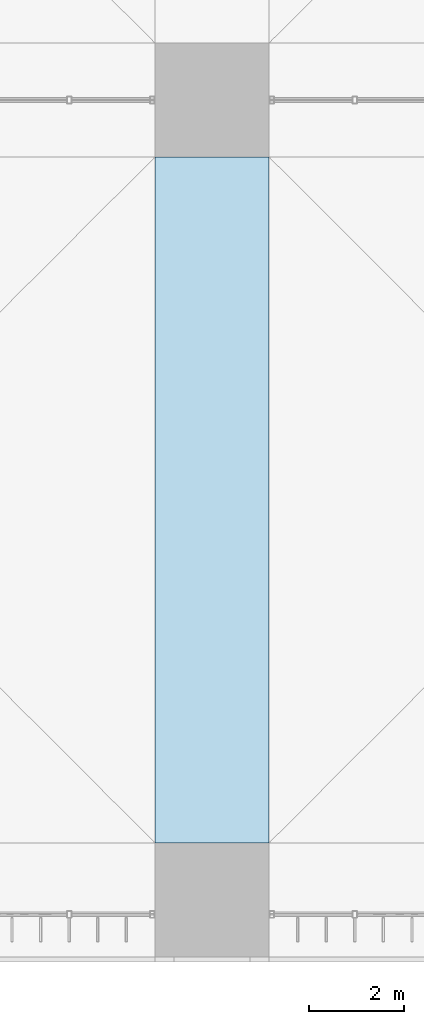
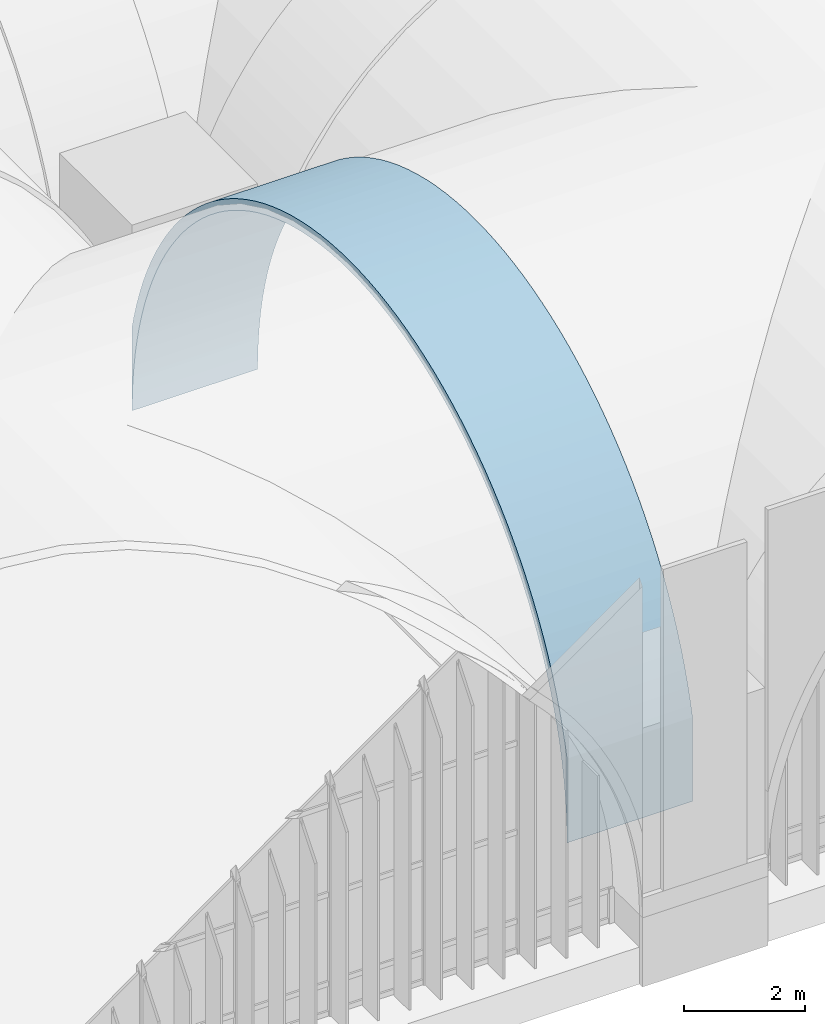
# One storey, part 115 of 169: 1 roof.
"""IFC4 building model written with IfcOpenShell, lengths in metres."""

from ifc_helpers import new_model, si_unit, direction, frame, origin, place, context, subcontext, project, spatial, polygons, material, layer, layer_set, type_object, element, save


model = new_model("IFC4")

# Units and contexts
model_context = context("Model", 3, precision=1e-05, world=origin(), true_north=direction((0.0, 1.0)))
body_context = subcontext(model_context, "Body", "Model", "MODEL_VIEW")
ifc_project = project(units=[si_unit("LENGTHUNIT", "METRE"), si_unit("AREAUNIT", "SQUARE_METRE"), si_unit("VOLUMEUNIT", "CUBIC_METRE"), si_unit("PLANEANGLEUNIT", "RADIAN"), si_unit("MASSUNIT", "GRAM", prefix="KILO")], contexts=[model_context])

# Site, building, storey
site_placement = place(None, origin())
site = spatial("IfcSite", under=ifc_project, at=site_placement, CompositionType="ELEMENT")
building_placement = place(site_placement, origin())
building = spatial("IfcBuilding", under=site, at=building_placement, Name="Verrick Yard Athletic Hall", CompositionType="ELEMENT")
storey_placement = place(building_placement, frame((0.0, 0.0, 4.39990234375)))
storey = spatial("IfcBuildingStorey", under=building, at=storey_placement, Name="L01", CompositionType="ELEMENT", Elevation=4.39990234375)

# Roof
ifc_material = material(Name="Concrete 35 MPa", Category="concrete")
ifc_layer = layer(ifc_material, 0.199951171875)
ifc_layer_set = layer_set([ifc_layer], Name="Arch rib 200")
roof_type = type_object("IfcRoofType", Name="Arch rib 200", PredefinedType="BARREL_ROOF", material=ifc_layer_set)
roof_placement = place(storey_placement, origin())
element("IfcRoof", 1, at=roof_placement, inside=storey, type_object=roof_type, Name="Vault rib X3-1", PredefinedType="BARREL_ROOF", context=body_context, shape_type="Tessellation", body=[
    polygons([(74.800048828125, 20.39990234375, 2.352294921875), (74.800048828125, 20.39990234375, 0.650146484375), (74.800048828125, 20.406982421875, 0.964111328125), (74.800048828125, 20.427490234375, 1.277587890625), (74.800048828125, 20.461669921875, 1.58984375), (74.800048828125, 20.509521484375, 1.900390625), (74.800048828125, 20.57080078125, 2.20849609375), (74.800048828125, 20.645263671875, 2.513671875), (74.800048828125, 20.733154296875, 2.815185546875), (74.800048828125, 20.834228515625, 3.112548828125), (74.800048828125, 20.947998046875, 3.405517578125), (74.800048828125, 21.07470703125, 3.693115234375), (74.800048828125, 21.21337890625, 3.974609375), (74.800048828125, 21.364501953125, 4.25), (74.800048828125, 21.527587890625, 4.518798828125), (74.800048828125, 21.7021484375, 4.77978515625), (74.800048828125, 21.887939453125, 5.033203125), (74.800048828125, 22.08447265625, 5.278076171875), (74.800048828125, 22.29150390625, 5.514404296875), (74.800048828125, 22.5087890625, 5.7412109375), (74.800048828125, 22.73583984375, 5.95849609375), (74.800048828125, 22.971923828125, 6.16552734375), (74.800048828125, 23.216796875, 6.3623046875), (74.800048828125, 23.47021484375, 6.548095703125), (74.800048828125, 23.7314453125, 6.722412109375), (74.800048828125, 24.0, 6.885498046875), (74.800048828125, 24.275390625, 7.03662109375), (74.800048828125, 24.55712890625, 7.175537109375), (74.800048828125, 24.8447265625, 7.302001953125), (74.800048828125, 25.137451171875, 7.416015625), (74.800048828125, 25.434814453125, 7.516845703125), (74.800048828125, 25.736572265625, 7.604736328125), (74.800048828125, 26.04150390625, 7.679443359375), (74.800048828125, 26.349609375, 7.74072265625), (74.800048828125, 26.66015625, 7.78857421875), (74.800048828125, 26.972412109375, 7.82275390625), (74.800048828125, 27.285888671875, 7.84326171875), (74.800048828125, 27.60009765625, 7.85009765625), (74.800048828125, 27.9140625, 7.84326171875), (74.800048828125, 28.2275390625, 7.82275390625), (74.800048828125, 28.539794921875, 7.78857421875), (74.800048828125, 28.850341796875, 7.74072265625), (74.800048828125, 29.158447265625, 7.679443359375), (74.800048828125, 29.46337890625, 7.604736328125), (74.800048828125, 29.76513671875, 7.516845703125), (74.800048828125, 30.0625, 7.416015625), (74.800048828125, 30.355224609375, 7.302001953125), (74.800048828125, 30.642822265625, 7.175537109375), (74.800048828125, 30.924560546875, 7.03662109375), (74.800048828125, 31.199951171875, 6.885498046875), (74.800048828125, 31.468505859375, 6.722412109375), (74.800048828125, 31.729736328125, 6.548095703125), (74.800048828125, 31.983154296875, 6.3623046875), (74.800048828125, 32.22802734375, 6.16552734375), (74.800048828125, 32.464111328125, 5.95849609375), (74.800048828125, 32.691162109375, 5.7412109375), (74.800048828125, 32.908447265625, 5.514404296875), (74.800048828125, 33.115478515625, 5.278076171875), (74.800048828125, 33.31201171875, 5.033203125), (74.800048828125, 33.497802734375, 4.77978515625), (74.800048828125, 33.67236328125, 4.518798828125), (74.800048828125, 33.83544921875, 4.25), (74.800048828125, 33.986572265625, 3.974609375), (74.800048828125, 34.12548828125, 3.693115234375), (74.800048828125, 34.251953125, 3.405517578125), (74.800048828125, 34.36572265625, 3.112548828125), (74.800048828125, 34.466796875, 2.815185546875), (74.800048828125, 34.5546875, 2.513671875), (74.800048828125, 34.62939453125, 2.20849609375), (74.800048828125, 34.690673828125, 1.900390625), (74.800048828125, 34.73828125, 1.58984375), (74.800048828125, 34.772705078125, 1.277587890625), (74.800048828125, 34.793212890625, 0.964111328125), (74.800048828125, 34.800048828125, 0.650146484375), (74.800048828125, 34.800048828125, 2.352294921875), (74.800048828125, 34.747802734375, 2.5654296875), (74.800048828125, 34.657470703125, 2.875244140625), (74.800048828125, 34.5537109375, 3.180908203125), (74.800048828125, 34.436767578125, 3.48193359375), (74.800048828125, 34.306640625, 3.777587890625), (74.800048828125, 34.163818359375, 4.06689453125), (74.800048828125, 34.008544921875, 4.35009765625), (74.800048828125, 33.841064453125, 4.6259765625), (74.800048828125, 33.66162109375, 4.89453125), (74.800048828125, 33.470703125, 5.15478515625), (74.800048828125, 33.268798828125, 5.40673828125), (74.800048828125, 33.055908203125, 5.6494140625), (74.800048828125, 32.83251953125, 5.8828125), (74.800048828125, 32.599365234375, 6.10595703125), (74.800048828125, 32.356689453125, 6.31884765625), (74.800048828125, 32.104736328125, 6.52099609375), (74.800048828125, 31.844482421875, 6.7119140625), (74.800048828125, 31.575927734375, 6.89111328125), (74.800048828125, 31.300048828125, 7.05859375), (74.800048828125, 31.016845703125, 7.214111328125), (74.800048828125, 30.727294921875, 7.356689453125), (74.800048828125, 30.431884765625, 7.48681640625), (74.800048828125, 30.130859375, 7.603759765625), (74.800048828125, 29.8251953125, 7.70751953125), (74.800048828125, 29.515380859375, 7.798095703125), (74.800048828125, 29.20166015625, 7.874755859375), (74.800048828125, 28.885009765625, 7.937744140625), (74.800048828125, 28.56591796875, 7.98681640625), (74.800048828125, 28.2451171875, 8.02197265625), (74.800048828125, 27.9228515625, 8.043212890625), (74.800048828125, 27.60009765625, 8.050048828125), (74.800048828125, 27.277099609375, 8.043212890625), (74.800048828125, 26.955078125, 8.02197265625), (74.800048828125, 26.634033203125, 7.98681640625), (74.800048828125, 26.31494140625, 7.937744140625), (74.800048828125, 25.998291015625, 7.874755859375), (74.800048828125, 25.684814453125, 7.798095703125), (74.800048828125, 25.374755859375, 7.70751953125), (74.800048828125, 25.069091796875, 7.603759765625), (74.800048828125, 24.76806640625, 7.48681640625), (74.800048828125, 24.47265625, 7.356689453125), (74.800048828125, 24.18310546875, 7.214111328125), (74.800048828125, 23.89990234375, 7.05859375), (74.800048828125, 23.6240234375, 6.89111328125), (74.800048828125, 23.35546875, 6.7119140625), (74.800048828125, 23.09521484375, 6.52099609375), (74.800048828125, 22.843505859375, 6.31884765625), (74.800048828125, 22.6005859375, 6.10595703125), (74.800048828125, 22.367431640625, 5.8828125), (74.800048828125, 22.14404296875, 5.6494140625), (74.800048828125, 21.931396484375, 5.40673828125), (74.800048828125, 21.729248046875, 5.15478515625), (74.800048828125, 21.538330078125, 4.89453125), (74.800048828125, 21.35888671875, 4.6259765625), (74.800048828125, 21.19140625, 4.35009765625), (74.800048828125, 21.0361328125, 4.06689453125), (74.800048828125, 20.893310546875, 3.777587890625), (74.800048828125, 20.76318359375, 3.48193359375), (74.800048828125, 20.646240234375, 3.180908203125), (74.800048828125, 20.54248046875, 2.875244140625), (74.800048828125, 20.4521484375, 2.5654296875), (72.39990234375, 20.39990234375, 2.352294921875), (72.39990234375, 20.39990234375, 0.650146484375), (72.39990234375, 20.406982421875, 0.964111328125), (72.39990234375, 20.427490234375, 1.277587890625), (72.39990234375, 20.461669921875, 1.58984375), (72.39990234375, 20.509521484375, 1.900390625), (72.39990234375, 20.57080078125, 2.20849609375), (72.39990234375, 20.645263671875, 2.513671875), (72.39990234375, 20.733154296875, 2.815185546875), (72.39990234375, 20.834228515625, 3.112548828125), (72.39990234375, 20.947998046875, 3.405517578125), (72.39990234375, 21.07470703125, 3.693115234375), (72.39990234375, 21.21337890625, 3.974609375), (72.39990234375, 21.364501953125, 4.25), (72.39990234375, 21.527587890625, 4.518798828125), (72.39990234375, 21.7021484375, 4.77978515625), (72.39990234375, 21.887939453125, 5.033203125), (72.39990234375, 22.08447265625, 5.278076171875), (72.39990234375, 22.29150390625, 5.514404296875), (72.39990234375, 22.5087890625, 5.7412109375), (72.39990234375, 22.73583984375, 5.95849609375), (72.39990234375, 22.971923828125, 6.16552734375), (72.39990234375, 23.216796875, 6.3623046875), (72.39990234375, 23.47021484375, 6.548095703125), (72.39990234375, 23.7314453125, 6.722412109375), (72.39990234375, 24.0, 6.885498046875), (72.39990234375, 24.275390625, 7.03662109375), (72.39990234375, 24.55712890625, 7.175537109375), (72.39990234375, 24.8447265625, 7.302001953125), (72.39990234375, 25.137451171875, 7.416015625), (72.39990234375, 25.434814453125, 7.516845703125), (72.39990234375, 25.736572265625, 7.604736328125), (72.39990234375, 26.04150390625, 7.679443359375), (72.39990234375, 26.349609375, 7.74072265625), (72.39990234375, 26.66015625, 7.78857421875), (72.39990234375, 26.972412109375, 7.82275390625), (72.39990234375, 27.285888671875, 7.84326171875), (72.39990234375, 27.60009765625, 7.85009765625), (72.39990234375, 27.9140625, 7.84326171875), (72.39990234375, 28.2275390625, 7.82275390625), (72.39990234375, 28.539794921875, 7.78857421875), (72.39990234375, 28.850341796875, 7.74072265625), (72.39990234375, 29.158447265625, 7.679443359375), (72.39990234375, 29.46337890625, 7.604736328125), (72.39990234375, 29.76513671875, 7.516845703125), (72.39990234375, 30.0625, 7.416015625), (72.39990234375, 30.355224609375, 7.302001953125), (72.39990234375, 30.642822265625, 7.175537109375), (72.39990234375, 30.924560546875, 7.03662109375), (72.39990234375, 31.199951171875, 6.885498046875), (72.39990234375, 31.468505859375, 6.722412109375), (72.39990234375, 31.729736328125, 6.548095703125), (72.39990234375, 31.983154296875, 6.3623046875), (72.39990234375, 32.22802734375, 6.16552734375), (72.39990234375, 32.464111328125, 5.95849609375), (72.39990234375, 32.691162109375, 5.7412109375), (72.39990234375, 32.908447265625, 5.514404296875), (72.39990234375, 33.115478515625, 5.278076171875), (72.39990234375, 33.31201171875, 5.033203125), (72.39990234375, 33.497802734375, 4.77978515625), (72.39990234375, 33.67236328125, 4.518798828125), (72.39990234375, 33.83544921875, 4.25), (72.39990234375, 33.986572265625, 3.974609375), (72.39990234375, 34.12548828125, 3.693115234375), (72.39990234375, 34.251953125, 3.405517578125), (72.39990234375, 34.36572265625, 3.112548828125), (72.39990234375, 34.466796875, 2.815185546875), (72.39990234375, 34.5546875, 2.513671875), (72.39990234375, 34.62939453125, 2.20849609375), (72.39990234375, 34.690673828125, 1.900390625), (72.39990234375, 34.73828125, 1.58984375), (72.39990234375, 34.772705078125, 1.277587890625), (72.39990234375, 34.793212890625, 0.964111328125), (72.39990234375, 34.800048828125, 0.650146484375), (72.39990234375, 34.800048828125, 2.352294921875), (72.39990234375, 34.747802734375, 2.5654296875), (72.39990234375, 34.657470703125, 2.875244140625), (72.39990234375, 34.5537109375, 3.180908203125), (72.39990234375, 34.436767578125, 3.48193359375), (72.39990234375, 34.306640625, 3.777587890625), (72.39990234375, 34.163818359375, 4.06689453125), (72.39990234375, 34.008544921875, 4.35009765625), (72.39990234375, 33.841064453125, 4.6259765625), (72.39990234375, 33.66162109375, 4.89453125), (72.39990234375, 33.470703125, 5.15478515625), (72.39990234375, 33.268798828125, 5.40673828125), (72.39990234375, 33.055908203125, 5.6494140625), (72.39990234375, 32.83251953125, 5.8828125), (72.39990234375, 32.599365234375, 6.10595703125), (72.39990234375, 32.356689453125, 6.31884765625), (72.39990234375, 32.104736328125, 6.52099609375), (72.39990234375, 31.844482421875, 6.7119140625), (72.39990234375, 31.575927734375, 6.89111328125), (72.39990234375, 31.300048828125, 7.05859375), (72.39990234375, 31.016845703125, 7.214111328125), (72.39990234375, 30.727294921875, 7.356689453125), (72.39990234375, 30.431884765625, 7.48681640625), (72.39990234375, 30.130859375, 7.603759765625), (72.39990234375, 29.8251953125, 7.70751953125), (72.39990234375, 29.515380859375, 7.798095703125), (72.39990234375, 29.20166015625, 7.874755859375), (72.39990234375, 28.885009765625, 7.937744140625), (72.39990234375, 28.56591796875, 7.98681640625), (72.39990234375, 28.2451171875, 8.02197265625), (72.39990234375, 27.9228515625, 8.043212890625), (72.39990234375, 27.60009765625, 8.050048828125), (72.39990234375, 27.277099609375, 8.043212890625), (72.39990234375, 26.955078125, 8.02197265625), (72.39990234375, 26.634033203125, 7.98681640625), (72.39990234375, 26.31494140625, 7.937744140625), (72.39990234375, 25.998291015625, 7.874755859375), (72.39990234375, 25.684814453125, 7.798095703125), (72.39990234375, 25.374755859375, 7.70751953125), (72.39990234375, 25.069091796875, 7.603759765625), (72.39990234375, 24.76806640625, 7.48681640625), (72.39990234375, 24.47265625, 7.356689453125), (72.39990234375, 24.18310546875, 7.214111328125), (72.39990234375, 23.89990234375, 7.05859375), (72.39990234375, 23.6240234375, 6.89111328125), (72.39990234375, 23.35546875, 6.7119140625), (72.39990234375, 23.09521484375, 6.52099609375), (72.39990234375, 22.843505859375, 6.31884765625), (72.39990234375, 22.6005859375, 6.10595703125), (72.39990234375, 22.367431640625, 5.8828125), (72.39990234375, 22.14404296875, 5.6494140625), (72.39990234375, 21.931396484375, 5.40673828125), (72.39990234375, 21.729248046875, 5.15478515625), (72.39990234375, 21.538330078125, 4.89453125), (72.39990234375, 21.35888671875, 4.6259765625), (72.39990234375, 21.19140625, 4.35009765625), (72.39990234375, 21.0361328125, 4.06689453125), (72.39990234375, 20.893310546875, 3.777587890625), (72.39990234375, 20.76318359375, 3.48193359375), (72.39990234375, 20.646240234375, 3.180908203125), (72.39990234375, 20.54248046875, 2.875244140625), (72.39990234375, 20.4521484375, 2.5654296875)], [[[1, 2, 3]], [[137, 139, 138]], [[136, 1, 3]], [[272, 139, 137]], [[136, 3, 4]], [[272, 140, 139]], [[136, 4, 5]], [[272, 141, 140]], [[136, 5, 6]], [[272, 142, 141]], [[136, 6, 7]], [[272, 143, 142]], [[136, 7, 8]], [[272, 144, 143]], [[136, 8, 9]], [[272, 145, 144]], [[136, 9, 10]], [[272, 146, 145]], [[136, 10, 11]], [[272, 147, 146]], [[136, 11, 12]], [[272, 148, 147]], [[136, 12, 13]], [[272, 149, 148]], [[73, 74, 75]], [[209, 211, 210]], [[72, 73, 75]], [[208, 211, 209]], [[71, 72, 75]], [[207, 211, 208]], [[70, 71, 75]], [[206, 211, 207]], [[69, 70, 75]], [[205, 211, 206]], [[68, 69, 75]], [[204, 211, 205]], [[67, 68, 75]], [[203, 211, 204]], [[66, 67, 75]], [[202, 211, 203]], [[65, 66, 75]], [[201, 211, 202]], [[64, 65, 75]], [[200, 211, 201]], [[63, 64, 75]], [[199, 211, 200]], [[63, 75, 76]], [[199, 212, 211]], [[63, 76, 77]], [[199, 213, 212]], [[62, 63, 77]], [[198, 213, 199]], [[62, 77, 78]], [[198, 214, 213]], [[61, 62, 78]], [[197, 214, 198]], [[61, 78, 79]], [[197, 215, 214]], [[60, 61, 79]], [[196, 215, 197]], [[60, 79, 80]], [[196, 216, 215]], [[59, 60, 80]], [[195, 216, 196]], [[59, 80, 81]], [[195, 217, 216]], [[58, 59, 81]], [[194, 217, 195]], [[58, 81, 82]], [[194, 218, 217]], [[57, 58, 82]], [[193, 218, 194]], [[57, 82, 83]], [[193, 219, 218]], [[56, 57, 83]], [[192, 219, 193]], [[56, 83, 84]], [[192, 220, 219]], [[55, 56, 84]], [[191, 220, 192]], [[55, 84, 85]], [[191, 221, 220]], [[54, 55, 85]], [[190, 221, 191]], [[54, 85, 86]], [[190, 222, 221]], [[53, 54, 86]], [[189, 222, 190]], [[53, 86, 87]], [[189, 223, 222]], [[52, 53, 87]], [[188, 223, 189]], [[52, 87, 88]], [[188, 224, 223]], [[51, 52, 88]], [[187, 224, 188]], [[51, 88, 89]], [[187, 225, 224]], [[50, 51, 89]], [[186, 225, 187]], [[50, 89, 90]], [[186, 226, 225]], [[49, 50, 90]], [[185, 226, 186]], [[49, 90, 91]], [[185, 227, 226]], [[48, 49, 91]], [[184, 227, 185]], [[48, 91, 92]], [[184, 228, 227]], [[47, 48, 92]], [[183, 228, 184]], [[47, 92, 93]], [[183, 229, 228]], [[46, 47, 93]], [[182, 229, 183]], [[46, 93, 94]], [[182, 230, 229]], [[45, 46, 94]], [[181, 230, 182]], [[45, 94, 95]], [[181, 231, 230]], [[44, 45, 95]], [[180, 231, 181]], [[44, 95, 96]], [[180, 232, 231]], [[43, 44, 96]], [[179, 232, 180]], [[43, 96, 97]], [[179, 233, 232]], [[42, 43, 97]], [[178, 233, 179]], [[42, 97, 98]], [[178, 234, 233]], [[41, 42, 98]], [[177, 234, 178]], [[41, 98, 99]], [[177, 235, 234]], [[40, 41, 99]], [[176, 235, 177]], [[40, 99, 100]], [[176, 236, 235]], [[39, 40, 100]], [[175, 236, 176]], [[39, 100, 101]], [[175, 237, 236]], [[38, 39, 101]], [[174, 237, 175]], [[38, 101, 102]], [[174, 238, 237]], [[37, 38, 102]], [[173, 238, 174]], [[37, 102, 103]], [[173, 239, 238]], [[36, 37, 103]], [[172, 239, 173]], [[36, 103, 104]], [[172, 240, 239]], [[35, 36, 104]], [[171, 240, 172]], [[35, 104, 105]], [[171, 241, 240]], [[34, 35, 105]], [[170, 241, 171]], [[34, 105, 106]], [[170, 242, 241]], [[33, 34, 106]], [[169, 242, 170]], [[33, 106, 107]], [[169, 243, 242]], [[32, 33, 107]], [[168, 243, 169]], [[32, 107, 108]], [[168, 244, 243]], [[31, 32, 108]], [[167, 244, 168]], [[31, 108, 109]], [[167, 245, 244]], [[30, 31, 109]], [[166, 245, 167]], [[30, 109, 110]], [[166, 246, 245]], [[29, 30, 110]], [[165, 246, 166]], [[29, 110, 111]], [[165, 247, 246]], [[28, 29, 111]], [[164, 247, 165]], [[28, 111, 112]], [[164, 248, 247]], [[27, 28, 112]], [[163, 248, 164]], [[27, 112, 113]], [[163, 249, 248]], [[26, 27, 113]], [[162, 249, 163]], [[26, 113, 114]], [[162, 250, 249]], [[25, 26, 114]], [[161, 250, 162]], [[25, 114, 115]], [[161, 251, 250]], [[24, 25, 115]], [[160, 251, 161]], [[24, 115, 116]], [[160, 252, 251]], [[23, 24, 116]], [[159, 252, 160]], [[23, 116, 117]], [[159, 253, 252]], [[22, 23, 117]], [[158, 253, 159]], [[22, 117, 118]], [[158, 254, 253]], [[21, 22, 118]], [[157, 254, 158]], [[21, 118, 119]], [[157, 255, 254]], [[20, 21, 119]], [[156, 255, 157]], [[20, 119, 120]], [[156, 256, 255]], [[19, 20, 120]], [[155, 256, 156]], [[19, 120, 121]], [[155, 257, 256]], [[18, 19, 121]], [[154, 257, 155]], [[18, 121, 122]], [[154, 258, 257]], [[17, 18, 122]], [[153, 258, 154]], [[17, 122, 123]], [[153, 259, 258]], [[16, 17, 123]], [[152, 259, 153]], [[16, 123, 124]], [[152, 260, 259]], [[15, 16, 124]], [[151, 260, 152]], [[15, 124, 125]], [[151, 261, 260]], [[14, 15, 125]], [[150, 261, 151]], [[14, 125, 126]], [[150, 262, 261]], [[13, 14, 126]], [[149, 262, 150]], [[136, 13, 126]], [[272, 262, 149]], [[136, 126, 127]], [[272, 263, 262]], [[136, 127, 128]], [[272, 264, 263]], [[136, 128, 129]], [[272, 265, 264]], [[136, 129, 130]], [[272, 266, 265]], [[136, 130, 131]], [[272, 267, 266]], [[136, 131, 132]], [[272, 268, 267]], [[136, 132, 133]], [[272, 269, 268]], [[136, 133, 134]], [[272, 270, 269]], [[134, 135, 136]], [[270, 272, 271]], [[1, 138, 2]], [[1, 137, 138]], [[2, 139, 3]], [[2, 138, 139]], [[3, 140, 4]], [[3, 139, 140]], [[4, 141, 5]], [[4, 140, 141]], [[5, 142, 6]], [[5, 141, 142]], [[6, 143, 7]], [[6, 142, 143]], [[7, 144, 8]], [[7, 143, 144]], [[8, 145, 9]], [[8, 144, 145]], [[9, 146, 10]], [[9, 145, 146]], [[10, 147, 11]], [[10, 146, 147]], [[11, 148, 12]], [[11, 147, 148]], [[12, 149, 13]], [[12, 148, 149]], [[13, 150, 14]], [[13, 149, 150]], [[14, 151, 15]], [[14, 150, 151]], [[15, 152, 16]], [[15, 151, 152]], [[16, 153, 17]], [[16, 152, 153]], [[17, 154, 18]], [[17, 153, 154]], [[18, 155, 19]], [[18, 154, 155]], [[19, 156, 20]], [[19, 155, 156]], [[20, 157, 21]], [[20, 156, 157]], [[21, 158, 22]], [[21, 157, 158]], [[22, 159, 23]], [[22, 158, 159]], [[23, 160, 24]], [[23, 159, 160]], [[24, 161, 25]], [[24, 160, 161]], [[25, 162, 26]], [[25, 161, 162]], [[26, 163, 27]], [[26, 162, 163]], [[27, 164, 28]], [[27, 163, 164]], [[28, 165, 29]], [[28, 164, 165]], [[29, 166, 30]], [[29, 165, 166]], [[30, 167, 31]], [[30, 166, 167]], [[31, 168, 32]], [[31, 167, 168]], [[32, 169, 33]], [[32, 168, 169]], [[33, 170, 34]], [[33, 169, 170]], [[34, 171, 35]], [[34, 170, 171]], [[35, 172, 36]], [[35, 171, 172]], [[36, 173, 37]], [[36, 172, 173]], [[37, 174, 38]], [[37, 173, 174]], [[38, 175, 39]], [[38, 174, 175]], [[39, 176, 40]], [[39, 175, 176]], [[40, 177, 41]], [[40, 176, 177]], [[41, 178, 42]], [[41, 177, 178]], [[42, 179, 43]], [[42, 178, 179]], [[43, 180, 44]], [[43, 179, 180]], [[44, 181, 45]], [[44, 180, 181]], [[45, 182, 46]], [[45, 181, 182]], [[46, 183, 47]], [[46, 182, 183]], [[47, 184, 48]], [[47, 183, 184]], [[48, 185, 49]], [[48, 184, 185]], [[49, 186, 50]], [[49, 185, 186]], [[50, 187, 51]], [[50, 186, 187]], [[51, 188, 52]], [[51, 187, 188]], [[52, 189, 53]], [[52, 188, 189]], [[53, 190, 54]], [[53, 189, 190]], [[54, 191, 55]], [[54, 190, 191]], [[55, 192, 56]], [[55, 191, 192]], [[56, 193, 57]], [[56, 192, 193]], [[57, 194, 58]], [[57, 193, 194]], [[58, 195, 59]], [[58, 194, 195]], [[59, 196, 60]], [[59, 195, 196]], [[60, 197, 61]], [[60, 196, 197]], [[61, 198, 62]], [[61, 197, 198]], [[62, 199, 63]], [[62, 198, 199]], [[63, 200, 64]], [[63, 199, 200]], [[64, 201, 65]], [[64, 200, 201]], [[65, 202, 66]], [[65, 201, 202]], [[66, 203, 67]], [[66, 202, 203]], [[67, 204, 68]], [[67, 203, 204]], [[68, 205, 69]], [[68, 204, 205]], [[69, 206, 70]], [[69, 205, 206]], [[70, 207, 71]], [[70, 206, 207]], [[71, 208, 72]], [[71, 207, 208]], [[72, 209, 73]], [[72, 208, 209]], [[73, 210, 74]], [[73, 209, 210]], [[74, 211, 75]], [[74, 210, 211]], [[75, 212, 76]], [[75, 211, 212]], [[76, 213, 77]], [[76, 212, 213]], [[77, 214, 78]], [[77, 213, 214]], [[78, 215, 79]], [[78, 214, 215]], [[79, 216, 80]], [[79, 215, 216]], [[80, 217, 81]], [[80, 216, 217]], [[81, 218, 82]], [[81, 217, 218]], [[82, 219, 83]], [[82, 218, 219]], [[83, 220, 84]], [[83, 219, 220]], [[84, 221, 85]], [[84, 220, 221]], [[85, 222, 86]], [[85, 221, 222]], [[86, 223, 87]], [[86, 222, 223]], [[87, 224, 88]], [[87, 223, 224]], [[88, 225, 89]], [[88, 224, 225]], [[89, 226, 90]], [[89, 225, 226]], [[90, 227, 91]], [[90, 226, 227]], [[91, 228, 92]], [[91, 227, 228]], [[92, 229, 93]], [[92, 228, 229]], [[93, 230, 94]], [[93, 229, 230]], [[94, 231, 95]], [[94, 230, 231]], [[95, 232, 96]], [[95, 231, 232]], [[96, 233, 97]], [[96, 232, 233]], [[97, 234, 98]], [[97, 233, 234]], [[98, 235, 99]], [[98, 234, 235]], [[99, 236, 100]], [[99, 235, 236]], [[100, 237, 101]], [[100, 236, 237]], [[101, 238, 102]], [[101, 237, 238]], [[102, 239, 103]], [[102, 238, 239]], [[103, 240, 104]], [[103, 239, 240]], [[104, 241, 105]], [[104, 240, 241]], [[105, 242, 106]], [[105, 241, 242]], [[106, 243, 107]], [[106, 242, 243]], [[107, 244, 108]], [[107, 243, 244]], [[108, 245, 109]], [[108, 244, 245]], [[109, 246, 110]], [[109, 245, 246]], [[110, 247, 111]], [[110, 246, 247]], [[111, 248, 112]], [[111, 247, 248]], [[112, 249, 113]], [[112, 248, 249]], [[113, 250, 114]], [[113, 249, 250]], [[114, 251, 115]], [[114, 250, 251]], [[115, 252, 116]], [[115, 251, 252]], [[116, 253, 117]], [[116, 252, 253]], [[117, 254, 118]], [[117, 253, 254]], [[118, 255, 119]], [[118, 254, 255]], [[119, 256, 120]], [[119, 255, 256]], [[120, 257, 121]], [[120, 256, 257]], [[121, 258, 122]], [[121, 257, 258]], [[122, 259, 123]], [[122, 258, 259]], [[123, 260, 124]], [[123, 259, 260]], [[124, 261, 125]], [[124, 260, 261]], [[125, 262, 126]], [[125, 261, 262]], [[126, 263, 127]], [[126, 262, 263]], [[127, 264, 128]], [[127, 263, 264]], [[128, 265, 129]], [[128, 264, 265]], [[129, 266, 130]], [[129, 265, 266]], [[130, 267, 131]], [[130, 266, 267]], [[131, 268, 132]], [[131, 267, 268]], [[132, 269, 133]], [[132, 268, 269]], [[133, 270, 134]], [[133, 269, 270]], [[134, 271, 135]], [[134, 270, 271]], [[135, 272, 136]], [[135, 271, 272]], [[136, 137, 1]], [[136, 272, 137]]], closed=True),
])

save(model, "model.ifc")
